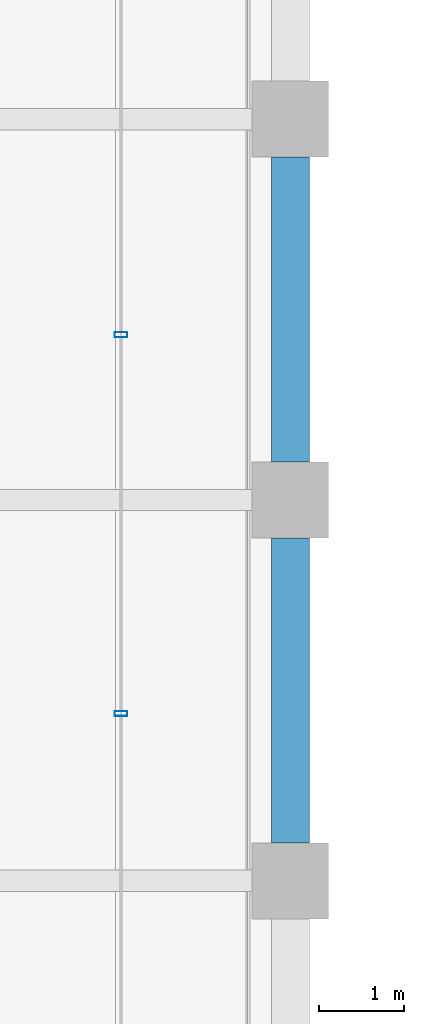
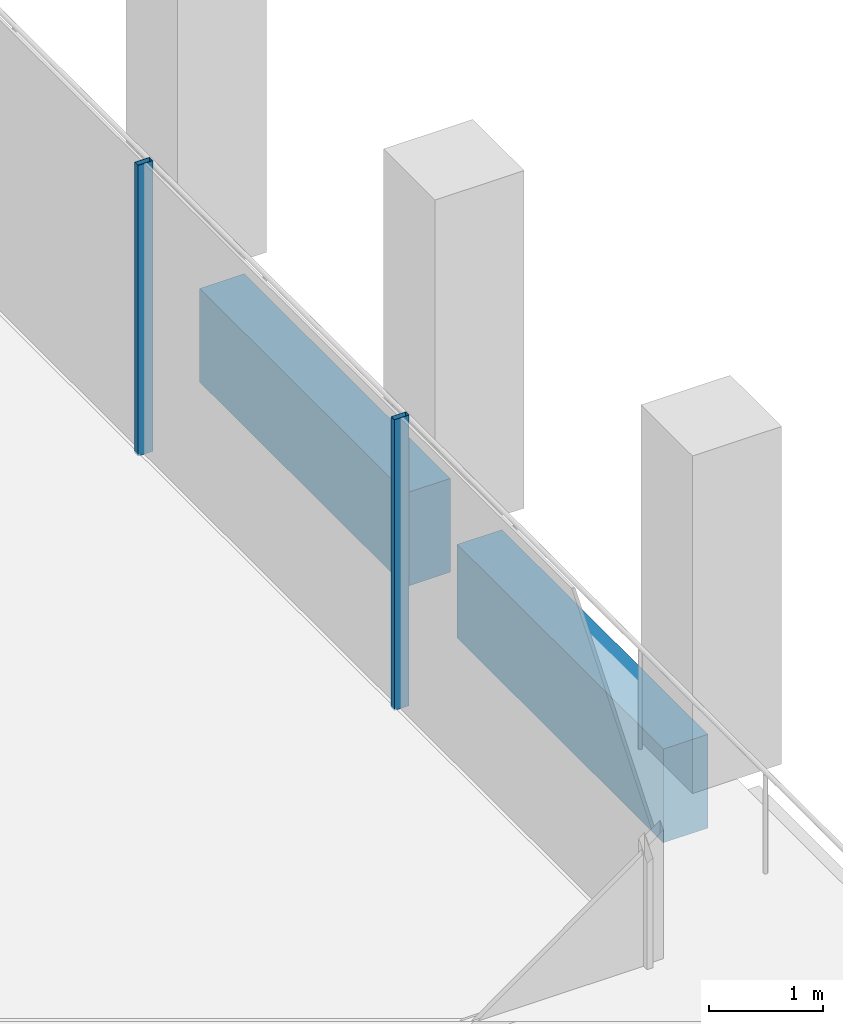
# One storey, part 15 of 40: 2 beams, 2 members, 1 element without a shape of its own.
"""IFC4 building model written with IfcOpenShell, lengths in metres."""

from ifc_helpers import new_model, si_unit, direction, frame, origin, origin_2d, place, context, subcontext, project, spatial, rectangle, hollow_rectangle, extrude, material, material_profile, profile_set, type_object, element, aggregate, save


model = new_model("IFC4")

# Units and contexts
model_context = context("Model", 3, precision=1e-05, world=origin(), true_north=direction((0.0, 1.0)))
body_context = subcontext(model_context, "Body", "Model", "MODEL_VIEW")
ifc_project = project(units=[si_unit("LENGTHUNIT", "METRE"), si_unit("AREAUNIT", "SQUARE_METRE"), si_unit("VOLUMEUNIT", "CUBIC_METRE"), si_unit("PLANEANGLEUNIT", "RADIAN"), si_unit("MASSUNIT", "GRAM", prefix="KILO")], contexts=[model_context])

# Site, building, storey
site_placement = place(None, origin())
site = spatial("IfcSite", under=ifc_project, at=site_placement, CompositionType="ELEMENT")
building_placement = place(site_placement, origin())
building = spatial("IfcBuilding", under=site, at=building_placement, Name="Altepetl Exchange Towers", CompositionType="ELEMENT")
storey_placement = place(building_placement, frame((0.0, 0.0, 161.800048828125)))
storey = spatial("IfcBuildingStorey", under=building, at=storey_placement, Name="L40", CompositionType="ELEMENT", Elevation=161.800048828125)

# Curtain wall, members
ifc_material_1 = material(Name="Aluminium 6063-T6 glazing", Category="aluminium")
curtain_wall_type = type_object("IfcCurtainWallType", Name="Loggia glazing system", PredefinedType="NOTDEFINED", material=ifc_material_1)
curtain_wall_placement = place(storey_placement, origin())
curtain_wall = element("IfcCurtainWall", 1, at=curtain_wall_placement, inside=storey, type_object=curtain_wall_type, Name="CW1 run", PredefinedType="NOTDEFINED")
ifc_material_2 = material(Name="Aluminium 6063-T6", Category="aluminium")
ifc_material_profile_1 = material_profile(ifc_material_2, hollow_rectangle(XDim=0.06005859375, YDim=0.14990234375, WallThickness=0.0029296875, at=origin_2d()), Name="Mullion 60x150 aluminium")
ifc_profile_set_1 = profile_set([ifc_material_profile_1], Name="Aluminium 6063-T6")
member_type = type_object("IfcMemberType", Name="Mullion 60x150 aluminium", PredefinedType="MULLION", material=ifc_profile_set_1)
member_1_placement = place(storey_placement, frame((70.0, 37.97607421875, 0.0), z_axis=(0.0, 0.0, 1.0), x_axis=(0.0, 1.0, 0.0)))
member_1 = element("IfcMember", 2, at=member_1_placement, type_object=member_type, Name="MU1 mullion", PredefinedType="MULLION", context=body_context, shape_type="SweptSolid", body=[
    extrude(hollow_rectangle(XDim=0.06005859375, YDim=0.14990234375, WallThickness=0.0029296875, at=origin_2d()), origin(), (0.0, 0.0, 1.0), 3.099853515625),
])
member_2_placement = place(storey_placement, frame((70.0, 42.451904296875, 0.0), z_axis=(0.0, 0.0, 1.0), x_axis=(0.0, 1.0, 0.0)))
member_2 = element("IfcMember", 3, at=member_2_placement, type_object=member_type, Name="MU1 mullion", PredefinedType="MULLION", context=body_context, shape_type="SweptSolid", body=[
    extrude(hollow_rectangle(XDim=0.06005859375, YDim=0.14990234375, WallThickness=0.0029296875, at=origin_2d()), origin(), (0.0, 0.0, 1.0), 3.099853515625),
])
aggregate(curtain_wall, [member_1, member_2])

# Beams
ifc_material_3 = material(Name="Concrete C50/60 precast with cantera amarilla facing", Category="concrete")
ifc_material_profile_2 = material_profile(ifc_material_3, rectangle(XDim=0.449951171875, YDim=1.0, at=origin_2d()), Name="450 x 1000")
ifc_profile_set_2 = profile_set([ifc_material_profile_2], Name="Concrete C50/60 precast with cantera amarilla facing")
beam_type = type_object("IfcBeamType", Name="Spandrel beam 450x1000 cantera amarilla", PredefinedType="SPANDREL", material=ifc_profile_set_2)
for number, where, z_axis, x_axis, name in (
    (4, (72.0, 36.449951171875, -0.650146484375), (0.0, 1.0, 0.0), (-1.0, 0.0, 0.0), "sp:A:L40:013"),
    (5, (72.0, 40.949951171875, -0.650146484375), (0.0, 1.0, 0.0), (-1.0, 0.0, 0.0), "sp:A:L40:014"),
):
    element("IfcBeam", number, at=place(storey_placement, frame(where, z_axis=z_axis, x_axis=x_axis)), inside=storey, type_object=beam_type, Name=name, PredefinedType="SPANDREL", context=body_context, shape_type="SweptSolid", body=[
        extrude(rectangle(XDim=0.449951171875, YDim=1.0, at=origin_2d()), origin(), (0.0, 0.0, 1.0), 3.60009765625),
    ])

save(model, "model.ifc")
